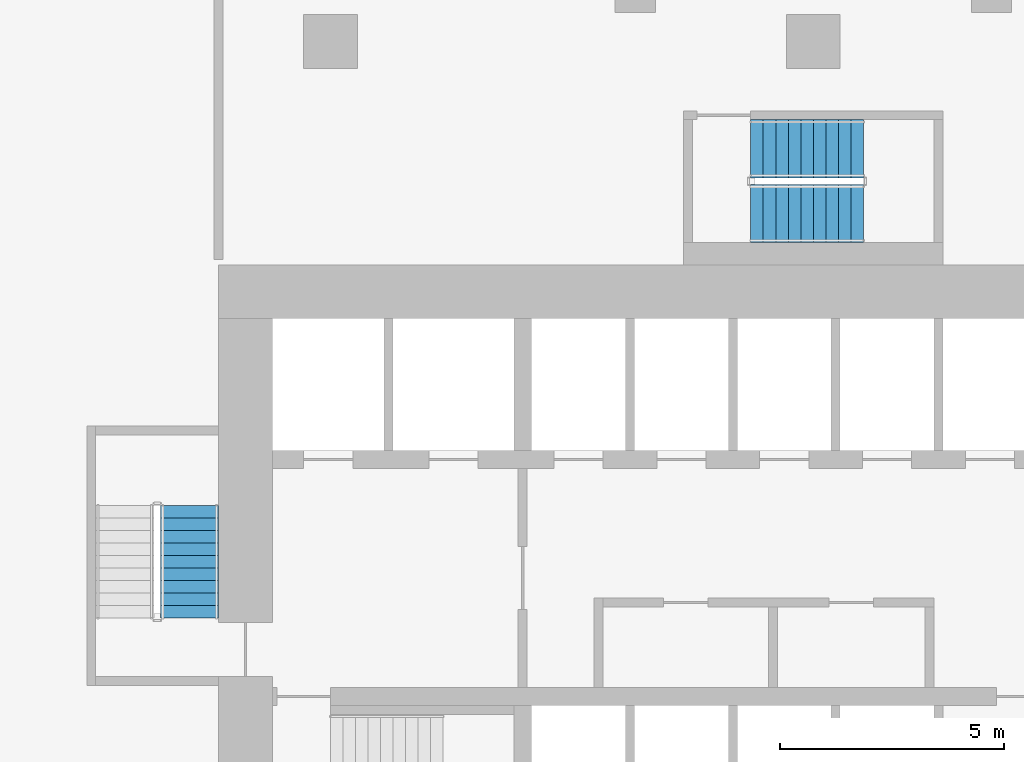
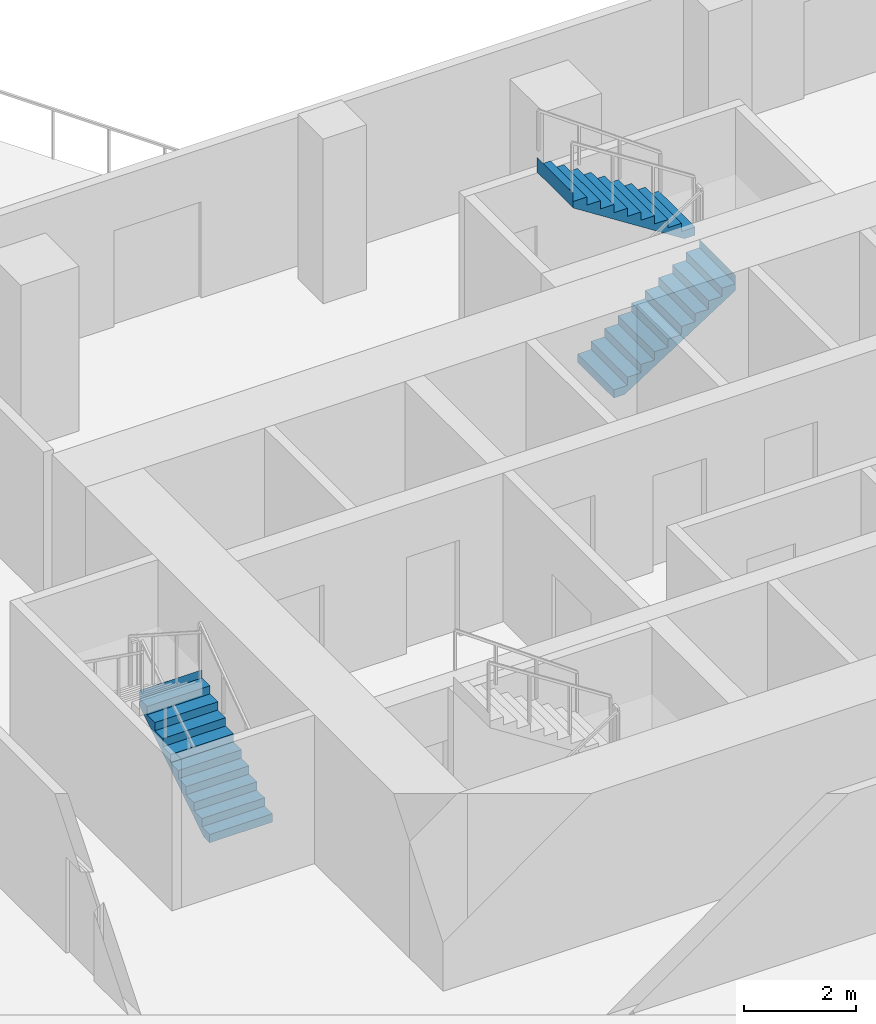
# One storey, part 16 of 22: 3 stair flights, 2 elements without a shape of their own.
"""IFC4 building model written with IfcOpenShell, lengths in metres."""

from ifc_helpers import new_model, si_unit, direction, frame, origin, place, context, subcontext, project, spatial, triangles, material, type_object, element, aggregate, save


model = new_model("IFC4")

# Units and contexts
model_context = context("Model", 3, precision=1e-05, world=origin(), true_north=direction((0.0, 1.0)))
body_context = subcontext(model_context, "Body", "Model", "MODEL_VIEW")
ifc_project = project(units=[si_unit("LENGTHUNIT", "METRE"), si_unit("AREAUNIT", "SQUARE_METRE"), si_unit("VOLUMEUNIT", "CUBIC_METRE"), si_unit("PLANEANGLEUNIT", "RADIAN"), si_unit("MASSUNIT", "GRAM", prefix="KILO")], contexts=[model_context])

# Site, building, storey
site_placement = place(None, origin())
site = spatial("IfcSite", under=ifc_project, at=site_placement, CompositionType="ELEMENT")
building_placement = place(site_placement, origin())
building = spatial("IfcBuilding", under=site, at=building_placement, Name="Beryl Residences", CompositionType="ELEMENT")
storey_placement = place(building_placement, frame((0.0, 0.0, 12.60009765625)))
storey = spatial("IfcBuildingStorey", under=building, at=storey_placement, Name="L03", CompositionType="ELEMENT", Elevation=12.60009765625)

# Stair, stair flight
ifc_material_1 = material(Name="Concrete C40/50", Category="concrete")
stair_type = type_object("IfcStairType", Name="ST1 protected exit stair, half-turn, 1300 mm flights", PredefinedType="HALF_TURN_STAIR", material=ifc_material_1)
stair_1_placement = place(storey_placement, origin())
stair_1 = element("IfcStair", 1, at=stair_1_placement, inside=storey, type_object=stair_type, Name="L03 PROTECTED EXIT STAIR ST-2", PredefinedType="HALF_TURN_STAIR")
ifc_material_2 = material(Name="Concrete C40/50", Category="concrete")
stair_flight_type = type_object("IfcStairFlightType", Name="SF1 stair flight 1300 mm", PredefinedType="STRAIGHT", material=ifc_material_2)
stair_flight_1_placement = place(storey_placement, frame((-13.949951171875, -12.89990234375, 0.0), z_axis=(0.0, 0.0, 1.0), x_axis=(0.0, 1.0, 0.0)))
stair_flight_1 = element("IfcStairFlight", 2, at=stair_flight_1_placement, type_object=stair_flight_type, Name="ST-2 flight 1", NumberOfRisers=10, NumberOfTreads=9, PredefinedType="STRAIGHT", RiserHeight=0.18, TreadLength=0.28, context=body_context, shape_type="Tessellation", body=[
    triangles([(0.0, -0.64990234375, 0.0), (0.0, -0.324951171875, 0.0), (0.0, 0.0, 0.0), (0.0, 0.324951171875, 0.0), (0.0, 0.64990234375, 0.0), (0.0, -0.64990234375, 0.179931640625), (0.0, -0.324951171875, 0.179931640625), (0.0, 0.0, 0.179931640625), (0.0, 0.324951171875, 0.179931640625), (0.0, 0.64990234375, 0.179931640625), (0.280029296875, -0.64990234375, 0.179931640625), (0.280029296875, -0.324951171875, 0.179931640625), (0.280029296875, 0.0, 0.179931640625), (0.280029296875, 0.324951171875, 0.179931640625), (0.280029296875, 0.64990234375, 0.179931640625), (0.280029296875, -0.64990234375, 0.360107421875), (0.280029296875, -0.324951171875, 0.360107421875), (0.280029296875, 0.0, 0.360107421875), (0.280029296875, 0.324951171875, 0.360107421875), (0.280029296875, 0.64990234375, 0.360107421875), (0.56005859375, -0.64990234375, 0.360107421875), (0.56005859375, -0.324951171875, 0.360107421875), (0.56005859375, 0.0, 0.360107421875), (0.56005859375, 0.324951171875, 0.360107421875), (0.56005859375, 0.64990234375, 0.360107421875), (0.56005859375, -0.64990234375, 0.5400390625), (0.56005859375, -0.324951171875, 0.5400390625), (0.56005859375, 0.0, 0.5400390625), (0.56005859375, 0.324951171875, 0.5400390625), (0.56005859375, 0.64990234375, 0.5400390625), (0.840087890625, -0.64990234375, 0.5400390625), (0.840087890625, -0.324951171875, 0.5400390625), (0.840087890625, 0.0, 0.5400390625), (0.840087890625, 0.324951171875, 0.5400390625), (0.840087890625, 0.64990234375, 0.5400390625), (0.840087890625, -0.64990234375, 0.719970703125), (0.840087890625, -0.324951171875, 0.719970703125), (0.840087890625, 0.0, 0.719970703125), (0.840087890625, 0.324951171875, 0.719970703125), (0.840087890625, 0.64990234375, 0.719970703125), (1.1201171875, -0.64990234375, 0.719970703125), (1.1201171875, -0.324951171875, 0.719970703125), (1.1201171875, 0.0, 0.719970703125), (1.1201171875, 0.324951171875, 0.719970703125), (1.1201171875, 0.64990234375, 0.719970703125), (1.1201171875, -0.64990234375, 0.89990234375), (1.1201171875, -0.324951171875, 0.89990234375), (1.1201171875, 0.0, 0.89990234375), (1.1201171875, 0.324951171875, 0.89990234375), (1.1201171875, 0.64990234375, 0.89990234375), (1.39990234375, -0.64990234375, 0.89990234375), (1.39990234375, -0.324951171875, 0.89990234375), (1.39990234375, 0.0, 0.89990234375), (1.39990234375, 0.324951171875, 0.89990234375), (1.39990234375, 0.64990234375, 0.89990234375), (1.39990234375, -0.64990234375, 1.080078125), (1.39990234375, -0.324951171875, 1.080078125), (1.39990234375, 0.0, 1.080078125), (1.39990234375, 0.324951171875, 1.080078125), (1.39990234375, 0.64990234375, 1.080078125), (1.679931640625, -0.64990234375, 1.080078125), (1.679931640625, -0.324951171875, 1.080078125), (1.679931640625, 0.0, 1.080078125), (1.679931640625, 0.324951171875, 1.080078125), (1.679931640625, 0.64990234375, 1.080078125), (1.679931640625, -0.64990234375, 1.260009765625), (1.679931640625, -0.324951171875, 1.260009765625), (1.679931640625, 0.0, 1.260009765625), (1.679931640625, 0.324951171875, 1.260009765625), (1.679931640625, 0.64990234375, 1.260009765625), (1.9599609375, -0.64990234375, 1.260009765625), (1.9599609375, -0.324951171875, 1.260009765625), (1.9599609375, 0.0, 1.260009765625), (1.9599609375, 0.324951171875, 1.260009765625), (1.9599609375, 0.64990234375, 1.260009765625), (1.9599609375, -0.64990234375, 1.43994140625), (1.9599609375, -0.324951171875, 1.43994140625), (1.9599609375, 0.0, 1.43994140625), (1.9599609375, 0.324951171875, 1.43994140625), (1.9599609375, 0.64990234375, 1.43994140625), (2.239990234375, -0.64990234375, 1.43994140625), (2.239990234375, -0.324951171875, 1.43994140625), (2.239990234375, 0.0, 1.43994140625), (2.239990234375, 0.324951171875, 1.43994140625), (2.239990234375, 0.64990234375, 1.43994140625), (2.239990234375, -0.64990234375, 1.6201171875), (2.239990234375, -0.324951171875, 1.6201171875), (2.239990234375, 0.0, 1.6201171875), (2.239990234375, 0.324951171875, 1.6201171875), (2.239990234375, 0.64990234375, 1.6201171875), (2.52001953125, -0.64990234375, 1.6201171875), (2.52001953125, -0.324951171875, 1.6201171875), (2.52001953125, 0.0, 1.6201171875), (2.52001953125, 0.324951171875, 1.6201171875), (2.52001953125, 0.64990234375, 1.6201171875), (2.52001953125, -0.64990234375, 1.800048828125), (2.52001953125, -0.324951171875, 1.800048828125), (2.52001953125, 0.0, 1.800048828125), (2.52001953125, 0.324951171875, 1.800048828125), (2.52001953125, 0.64990234375, 1.800048828125), (2.52099609375, -0.64990234375, 1.800048828125), (2.52099609375, -0.324951171875, 1.800048828125), (2.52099609375, 0.0, 1.800048828125), (2.52099609375, 0.324951171875, 1.800048828125), (2.52099609375, 0.64990234375, 1.800048828125), (2.52099609375, -0.64990234375, 1.477294921875), (2.52099609375, -0.324951171875, 1.477294921875), (2.52099609375, 0.0, 1.477294921875), (2.52099609375, 0.324951171875, 1.477294921875), (2.52099609375, 0.64990234375, 1.477294921875), (0.22314453125, -0.64990234375, 0.0), (0.22314453125, -0.324951171875, 0.0), (0.22314453125, 0.0, 0.0), (0.22314453125, 0.324951171875, 0.0), (0.22314453125, 0.64990234375, 0.0)], [[1, 6, 7], [1, 7, 2], [2, 7, 8], [2, 8, 3], [3, 8, 9], [3, 9, 4], [4, 9, 10], [4, 10, 5], [6, 11, 12], [6, 12, 7], [7, 12, 13], [7, 13, 8], [8, 13, 14], [8, 14, 9], [9, 14, 15], [9, 15, 10], [11, 16, 17], [11, 17, 12], [12, 17, 18], [12, 18, 13], [13, 18, 19], [13, 19, 14], [14, 19, 20], [14, 20, 15], [16, 21, 22], [16, 22, 17], [17, 22, 23], [17, 23, 18], [18, 23, 24], [18, 24, 19], [19, 24, 25], [19, 25, 20], [21, 26, 27], [21, 27, 22], [22, 27, 28], [22, 28, 23], [23, 28, 29], [23, 29, 24], [24, 29, 30], [24, 30, 25], [26, 31, 32], [26, 32, 27], [27, 32, 33], [27, 33, 28], [28, 33, 34], [28, 34, 29], [29, 34, 35], [29, 35, 30], [31, 36, 37], [31, 37, 32], [32, 37, 38], [32, 38, 33], [33, 38, 39], [33, 39, 34], [34, 39, 40], [34, 40, 35], [36, 41, 42], [36, 42, 37], [37, 42, 43], [37, 43, 38], [38, 43, 44], [38, 44, 39], [39, 44, 45], [39, 45, 40], [41, 46, 47], [41, 47, 42], [42, 47, 48], [42, 48, 43], [43, 48, 49], [43, 49, 44], [44, 49, 50], [44, 50, 45], [46, 51, 52], [46, 52, 47], [47, 52, 53], [47, 53, 48], [48, 53, 54], [48, 54, 49], [49, 54, 55], [49, 55, 50], [51, 56, 57], [51, 57, 52], [52, 57, 58], [52, 58, 53], [53, 58, 59], [53, 59, 54], [54, 59, 60], [54, 60, 55], [56, 61, 62], [56, 62, 57], [57, 62, 63], [57, 63, 58], [58, 63, 64], [58, 64, 59], [59, 64, 65], [59, 65, 60], [61, 66, 67], [61, 67, 62], [62, 67, 68], [62, 68, 63], [63, 68, 69], [63, 69, 64], [64, 69, 70], [64, 70, 65], [66, 71, 72], [66, 72, 67], [67, 72, 73], [67, 73, 68], [68, 73, 74], [68, 74, 69], [69, 74, 75], [69, 75, 70], [71, 76, 77], [71, 77, 72], [72, 77, 78], [72, 78, 73], [73, 78, 79], [73, 79, 74], [74, 79, 80], [74, 80, 75], [76, 81, 82], [76, 82, 77], [77, 82, 83], [77, 83, 78], [78, 83, 84], [78, 84, 79], [79, 84, 85], [79, 85, 80], [81, 86, 87], [81, 87, 82], [82, 87, 88], [82, 88, 83], [83, 88, 89], [83, 89, 84], [84, 89, 90], [84, 90, 85], [86, 91, 92], [86, 92, 87], [87, 92, 93], [87, 93, 88], [88, 93, 94], [88, 94, 89], [89, 94, 95], [89, 95, 90], [91, 96, 97], [91, 97, 92], [92, 97, 98], [92, 98, 93], [93, 98, 99], [93, 99, 94], [94, 99, 100], [94, 100, 95], [96, 101, 102], [96, 102, 97], [97, 102, 103], [97, 103, 98], [98, 103, 104], [98, 104, 99], [99, 104, 105], [99, 105, 100], [101, 106, 107], [101, 107, 102], [102, 107, 108], [102, 108, 103], [103, 108, 109], [103, 109, 104], [104, 109, 110], [104, 110, 105], [106, 111, 112], [106, 112, 107], [107, 112, 113], [107, 113, 108], [108, 113, 114], [108, 114, 109], [109, 114, 115], [109, 115, 110], [111, 1, 2], [111, 2, 112], [112, 2, 3], [112, 3, 113], [113, 3, 4], [113, 4, 114], [114, 4, 5], [114, 5, 115], [1, 111, 106], [5, 110, 115], [106, 101, 96], [110, 100, 105], [106, 96, 91], [110, 95, 100], [106, 91, 86], [110, 90, 95], [106, 86, 81], [110, 85, 90], [81, 76, 71], [85, 75, 80], [106, 81, 71], [110, 75, 85], [71, 66, 61], [75, 65, 70], [106, 71, 61], [110, 65, 75], [61, 56, 51], [65, 55, 60], [106, 61, 51], [110, 55, 65], [51, 46, 41], [55, 45, 50], [106, 51, 41], [110, 45, 55], [41, 36, 31], [45, 35, 40], [106, 41, 31], [110, 35, 45], [31, 26, 21], [35, 25, 30], [106, 31, 21], [110, 25, 35], [21, 16, 11], [25, 15, 20], [106, 21, 11], [110, 15, 25], [1, 106, 11], [5, 15, 110], [11, 6, 1], [15, 5, 10]], closed=True),
])
aggregate(stair_1, [stair_flight_1])

# Stair, stair flights
stair_2_placement = place(storey_placement, origin())
stair_2 = element("IfcStair", 3, at=stair_2_placement, inside=storey, type_object=stair_type, Name="L03 PROTECTED EXIT STAIR ST-4", PredefinedType="HALF_TURN_STAIR")
stair_flight_2_placement = place(storey_placement, frame((-1.39990234375, -3.85009765625, 0.0), z_axis=(0.0, 0.0, 1.0), x_axis=(1.0, 0.0, 0.0)))
stair_flight_2 = element("IfcStairFlight", 4, at=stair_flight_2_placement, type_object=stair_flight_type, Name="ST-4 flight 1", NumberOfRisers=10, NumberOfTreads=9, PredefinedType="STRAIGHT", RiserHeight=0.18, TreadLength=0.28, context=body_context, shape_type="Tessellation", body=[
    triangles([(0.0, -0.64990234375, 0.0), (0.0, -0.324951171875, 0.0), (0.0, 0.0, 0.0), (0.0, 0.324951171875, 0.0), (0.0, 0.64990234375, 0.0), (0.0, -0.64990234375, 0.179931640625), (0.0, -0.324951171875, 0.179931640625), (0.0, 0.0, 0.179931640625), (0.0, 0.324951171875, 0.179931640625), (0.0, 0.64990234375, 0.179931640625), (0.280029296875, -0.64990234375, 0.179931640625), (0.280029296875, -0.324951171875, 0.179931640625), (0.280029296875, 0.0, 0.179931640625), (0.280029296875, 0.324951171875, 0.179931640625), (0.280029296875, 0.64990234375, 0.179931640625), (0.280029296875, -0.64990234375, 0.360107421875), (0.280029296875, -0.324951171875, 0.360107421875), (0.280029296875, 0.0, 0.360107421875), (0.280029296875, 0.324951171875, 0.360107421875), (0.280029296875, 0.64990234375, 0.360107421875), (0.56005859375, -0.64990234375, 0.360107421875), (0.56005859375, -0.324951171875, 0.360107421875), (0.56005859375, 0.0, 0.360107421875), (0.56005859375, 0.324951171875, 0.360107421875), (0.56005859375, 0.64990234375, 0.360107421875), (0.56005859375, -0.64990234375, 0.5400390625), (0.56005859375, -0.324951171875, 0.5400390625), (0.56005859375, 0.0, 0.5400390625), (0.56005859375, 0.324951171875, 0.5400390625), (0.56005859375, 0.64990234375, 0.5400390625), (0.840087890625, -0.64990234375, 0.5400390625), (0.840087890625, -0.324951171875, 0.5400390625), (0.840087890625, 0.0, 0.5400390625), (0.840087890625, 0.324951171875, 0.5400390625), (0.840087890625, 0.64990234375, 0.5400390625), (0.840087890625, -0.64990234375, 0.719970703125), (0.840087890625, -0.324951171875, 0.719970703125), (0.840087890625, 0.0, 0.719970703125), (0.840087890625, 0.324951171875, 0.719970703125), (0.840087890625, 0.64990234375, 0.719970703125), (1.1201171875, -0.64990234375, 0.719970703125), (1.1201171875, -0.324951171875, 0.719970703125), (1.1201171875, 0.0, 0.719970703125), (1.1201171875, 0.324951171875, 0.719970703125), (1.1201171875, 0.64990234375, 0.719970703125), (1.1201171875, -0.64990234375, 0.89990234375), (1.1201171875, -0.324951171875, 0.89990234375), (1.1201171875, 0.0, 0.89990234375), (1.1201171875, 0.324951171875, 0.89990234375), (1.1201171875, 0.64990234375, 0.89990234375), (1.39990234375, -0.64990234375, 0.89990234375), (1.39990234375, -0.324951171875, 0.89990234375), (1.39990234375, 0.0, 0.89990234375), (1.39990234375, 0.324951171875, 0.89990234375), (1.39990234375, 0.64990234375, 0.89990234375), (1.39990234375, -0.64990234375, 1.080078125), (1.39990234375, -0.324951171875, 1.080078125), (1.39990234375, 0.0, 1.080078125), (1.39990234375, 0.324951171875, 1.080078125), (1.39990234375, 0.64990234375, 1.080078125), (1.679931640625, -0.64990234375, 1.080078125), (1.679931640625, -0.324951171875, 1.080078125), (1.679931640625, 0.0, 1.080078125), (1.679931640625, 0.324951171875, 1.080078125), (1.679931640625, 0.64990234375, 1.080078125), (1.679931640625, -0.64990234375, 1.260009765625), (1.679931640625, -0.324951171875, 1.260009765625), (1.679931640625, 0.0, 1.260009765625), (1.679931640625, 0.324951171875, 1.260009765625), (1.679931640625, 0.64990234375, 1.260009765625), (1.9599609375, -0.64990234375, 1.260009765625), (1.9599609375, -0.324951171875, 1.260009765625), (1.9599609375, 0.0, 1.260009765625), (1.9599609375, 0.324951171875, 1.260009765625), (1.9599609375, 0.64990234375, 1.260009765625), (1.9599609375, -0.64990234375, 1.43994140625), (1.9599609375, -0.324951171875, 1.43994140625), (1.9599609375, 0.0, 1.43994140625), (1.9599609375, 0.324951171875, 1.43994140625), (1.9599609375, 0.64990234375, 1.43994140625), (2.239990234375, -0.64990234375, 1.43994140625), (2.239990234375, -0.324951171875, 1.43994140625), (2.239990234375, 0.0, 1.43994140625), (2.239990234375, 0.324951171875, 1.43994140625), (2.239990234375, 0.64990234375, 1.43994140625), (2.239990234375, -0.64990234375, 1.6201171875), (2.239990234375, -0.324951171875, 1.6201171875), (2.239990234375, 0.0, 1.6201171875), (2.239990234375, 0.324951171875, 1.6201171875), (2.239990234375, 0.64990234375, 1.6201171875), (2.52001953125, -0.64990234375, 1.6201171875), (2.52001953125, -0.324951171875, 1.6201171875), (2.52001953125, 0.0, 1.6201171875), (2.52001953125, 0.324951171875, 1.6201171875), (2.52001953125, 0.64990234375, 1.6201171875), (2.52001953125, -0.64990234375, 1.800048828125), (2.52001953125, -0.324951171875, 1.800048828125), (2.52001953125, 0.0, 1.800048828125), (2.52001953125, 0.324951171875, 1.800048828125), (2.52001953125, 0.64990234375, 1.800048828125), (2.52099609375, -0.64990234375, 1.800048828125), (2.52099609375, -0.324951171875, 1.800048828125), (2.52099609375, 0.0, 1.800048828125), (2.52099609375, 0.324951171875, 1.800048828125), (2.52099609375, 0.64990234375, 1.800048828125), (2.52099609375, -0.64990234375, 1.477294921875), (2.52099609375, -0.324951171875, 1.477294921875), (2.52099609375, 0.0, 1.477294921875), (2.52099609375, 0.324951171875, 1.477294921875), (2.52099609375, 0.64990234375, 1.477294921875), (0.22314453125, -0.64990234375, 0.0), (0.22314453125, -0.324951171875, 0.0), (0.22314453125, 0.0, 0.0), (0.22314453125, 0.324951171875, 0.0), (0.22314453125, 0.64990234375, 0.0)], [[1, 6, 7], [1, 7, 2], [2, 7, 8], [2, 8, 3], [3, 8, 9], [3, 9, 4], [4, 9, 10], [4, 10, 5], [6, 11, 12], [6, 12, 7], [7, 12, 13], [7, 13, 8], [8, 13, 14], [8, 14, 9], [9, 14, 15], [9, 15, 10], [11, 16, 17], [11, 17, 12], [12, 17, 18], [12, 18, 13], [13, 18, 19], [13, 19, 14], [14, 19, 20], [14, 20, 15], [16, 21, 22], [16, 22, 17], [17, 22, 23], [17, 23, 18], [18, 23, 24], [18, 24, 19], [19, 24, 25], [19, 25, 20], [21, 26, 27], [21, 27, 22], [22, 27, 28], [22, 28, 23], [23, 28, 29], [23, 29, 24], [24, 29, 30], [24, 30, 25], [26, 31, 32], [26, 32, 27], [27, 32, 33], [27, 33, 28], [28, 33, 34], [28, 34, 29], [29, 34, 35], [29, 35, 30], [31, 36, 37], [31, 37, 32], [32, 37, 38], [32, 38, 33], [33, 38, 39], [33, 39, 34], [34, 39, 40], [34, 40, 35], [36, 41, 42], [36, 42, 37], [37, 42, 43], [37, 43, 38], [38, 43, 44], [38, 44, 39], [39, 44, 45], [39, 45, 40], [41, 46, 47], [41, 47, 42], [42, 47, 48], [42, 48, 43], [43, 48, 49], [43, 49, 44], [44, 49, 50], [44, 50, 45], [46, 51, 52], [46, 52, 47], [47, 52, 53], [47, 53, 48], [48, 53, 54], [48, 54, 49], [49, 54, 55], [49, 55, 50], [51, 56, 57], [51, 57, 52], [52, 57, 58], [52, 58, 53], [53, 58, 59], [53, 59, 54], [54, 59, 60], [54, 60, 55], [56, 61, 62], [56, 62, 57], [57, 62, 63], [57, 63, 58], [58, 63, 64], [58, 64, 59], [59, 64, 65], [59, 65, 60], [61, 66, 67], [61, 67, 62], [62, 67, 68], [62, 68, 63], [63, 68, 69], [63, 69, 64], [64, 69, 70], [64, 70, 65], [66, 71, 72], [66, 72, 67], [67, 72, 73], [67, 73, 68], [68, 73, 74], [68, 74, 69], [69, 74, 75], [69, 75, 70], [71, 76, 77], [71, 77, 72], [72, 77, 78], [72, 78, 73], [73, 78, 79], [73, 79, 74], [74, 79, 80], [74, 80, 75], [76, 81, 82], [76, 82, 77], [77, 82, 83], [77, 83, 78], [78, 83, 84], [78, 84, 79], [79, 84, 85], [79, 85, 80], [81, 86, 87], [81, 87, 82], [82, 87, 88], [82, 88, 83], [83, 88, 89], [83, 89, 84], [84, 89, 90], [84, 90, 85], [86, 91, 92], [86, 92, 87], [87, 92, 93], [87, 93, 88], [88, 93, 94], [88, 94, 89], [89, 94, 95], [89, 95, 90], [91, 96, 97], [91, 97, 92], [92, 97, 98], [92, 98, 93], [93, 98, 99], [93, 99, 94], [94, 99, 100], [94, 100, 95], [96, 101, 102], [96, 102, 97], [97, 102, 103], [97, 103, 98], [98, 103, 104], [98, 104, 99], [99, 104, 105], [99, 105, 100], [101, 106, 107], [101, 107, 102], [102, 107, 108], [102, 108, 103], [103, 108, 109], [103, 109, 104], [104, 109, 110], [104, 110, 105], [106, 111, 112], [106, 112, 107], [107, 112, 113], [107, 113, 108], [108, 113, 114], [108, 114, 109], [109, 114, 115], [109, 115, 110], [111, 1, 2], [111, 2, 112], [112, 2, 3], [112, 3, 113], [113, 3, 4], [113, 4, 114], [114, 4, 5], [114, 5, 115], [1, 111, 106], [5, 110, 115], [106, 101, 96], [110, 100, 105], [106, 96, 91], [110, 95, 100], [106, 91, 86], [110, 90, 95], [106, 86, 81], [110, 85, 90], [81, 76, 71], [85, 75, 80], [106, 81, 71], [110, 75, 85], [71, 66, 61], [75, 65, 70], [106, 71, 61], [110, 65, 75], [61, 56, 51], [65, 55, 60], [106, 61, 51], [110, 55, 65], [51, 46, 41], [55, 45, 50], [106, 51, 41], [110, 45, 55], [41, 36, 31], [45, 35, 40], [106, 41, 31], [110, 35, 45], [31, 26, 21], [35, 25, 30], [106, 31, 21], [110, 25, 35], [21, 16, 11], [25, 15, 20], [106, 21, 11], [110, 15, 25], [1, 106, 11], [5, 15, 110], [11, 6, 1], [15, 5, 10]], closed=True),
])
stair_flight_3_placement = place(storey_placement, frame((1.1201171875, -2.39990234375, 1.7998046875), z_axis=(0.0, 0.0, 1.0), x_axis=(-1.0, 0.0, 0.0)))
stair_flight_3 = element("IfcStairFlight", 5, at=stair_flight_3_placement, type_object=stair_flight_type, Name="ST-4 flight 2", NumberOfRisers=10, NumberOfTreads=9, PredefinedType="STRAIGHT", RiserHeight=0.18, TreadLength=0.28, context=body_context, shape_type="Tessellation", body=[
    triangles([(0.0, -0.64990234375, 0.0), (0.0, -0.324951171875, 0.0), (0.0, 0.0, 0.0), (0.0, 0.324951171875, 0.0), (0.0, 0.64990234375, 0.0), (0.0, -0.64990234375, 0.179931640625), (0.0, -0.324951171875, 0.179931640625), (0.0, 0.0, 0.179931640625), (0.0, 0.324951171875, 0.179931640625), (0.0, 0.64990234375, 0.179931640625), (0.280029296875, -0.64990234375, 0.179931640625), (0.280029296875, -0.324951171875, 0.179931640625), (0.280029296875, 0.0, 0.179931640625), (0.280029296875, 0.324951171875, 0.179931640625), (0.280029296875, 0.64990234375, 0.179931640625), (0.280029296875, -0.64990234375, 0.360107421875), (0.280029296875, -0.324951171875, 0.360107421875), (0.280029296875, 0.0, 0.360107421875), (0.280029296875, 0.324951171875, 0.360107421875), (0.280029296875, 0.64990234375, 0.360107421875), (0.56005859375, -0.64990234375, 0.360107421875), (0.56005859375, -0.324951171875, 0.360107421875), (0.56005859375, 0.0, 0.360107421875), (0.56005859375, 0.324951171875, 0.360107421875), (0.56005859375, 0.64990234375, 0.360107421875), (0.56005859375, -0.64990234375, 0.5400390625), (0.56005859375, -0.324951171875, 0.5400390625), (0.56005859375, 0.0, 0.5400390625), (0.56005859375, 0.324951171875, 0.5400390625), (0.56005859375, 0.64990234375, 0.5400390625), (0.840087890625, -0.64990234375, 0.5400390625), (0.840087890625, -0.324951171875, 0.5400390625), (0.840087890625, 0.0, 0.5400390625), (0.840087890625, 0.324951171875, 0.5400390625), (0.840087890625, 0.64990234375, 0.5400390625), (0.840087890625, -0.64990234375, 0.719970703125), (0.840087890625, -0.324951171875, 0.719970703125), (0.840087890625, 0.0, 0.719970703125), (0.840087890625, 0.324951171875, 0.719970703125), (0.840087890625, 0.64990234375, 0.719970703125), (1.1201171875, -0.64990234375, 0.719970703125), (1.1201171875, -0.324951171875, 0.719970703125), (1.1201171875, 0.0, 0.719970703125), (1.1201171875, 0.324951171875, 0.719970703125), (1.1201171875, 0.64990234375, 0.719970703125), (1.1201171875, -0.64990234375, 0.89990234375), (1.1201171875, -0.324951171875, 0.89990234375), (1.1201171875, 0.0, 0.89990234375), (1.1201171875, 0.324951171875, 0.89990234375), (1.1201171875, 0.64990234375, 0.89990234375), (1.39990234375, -0.64990234375, 0.89990234375), (1.39990234375, -0.324951171875, 0.89990234375), (1.39990234375, 0.0, 0.89990234375), (1.39990234375, 0.324951171875, 0.89990234375), (1.39990234375, 0.64990234375, 0.89990234375), (1.39990234375, -0.64990234375, 1.080078125), (1.39990234375, -0.324951171875, 1.080078125), (1.39990234375, 0.0, 1.080078125), (1.39990234375, 0.324951171875, 1.080078125), (1.39990234375, 0.64990234375, 1.080078125), (1.679931640625, -0.64990234375, 1.080078125), (1.679931640625, -0.324951171875, 1.080078125), (1.679931640625, 0.0, 1.080078125), (1.679931640625, 0.324951171875, 1.080078125), (1.679931640625, 0.64990234375, 1.080078125), (1.679931640625, -0.64990234375, 1.260009765625), (1.679931640625, -0.324951171875, 1.260009765625), (1.679931640625, 0.0, 1.260009765625), (1.679931640625, 0.324951171875, 1.260009765625), (1.679931640625, 0.64990234375, 1.260009765625), (1.9599609375, -0.64990234375, 1.260009765625), (1.9599609375, -0.324951171875, 1.260009765625), (1.9599609375, 0.0, 1.260009765625), (1.9599609375, 0.324951171875, 1.260009765625), (1.9599609375, 0.64990234375, 1.260009765625), (1.9599609375, -0.64990234375, 1.43994140625), (1.9599609375, -0.324951171875, 1.43994140625), (1.9599609375, 0.0, 1.43994140625), (1.9599609375, 0.324951171875, 1.43994140625), (1.9599609375, 0.64990234375, 1.43994140625), (2.239990234375, -0.64990234375, 1.43994140625), (2.239990234375, -0.324951171875, 1.43994140625), (2.239990234375, 0.0, 1.43994140625), (2.239990234375, 0.324951171875, 1.43994140625), (2.239990234375, 0.64990234375, 1.43994140625), (2.239990234375, -0.64990234375, 1.6201171875), (2.239990234375, -0.324951171875, 1.6201171875), (2.239990234375, 0.0, 1.6201171875), (2.239990234375, 0.324951171875, 1.6201171875), (2.239990234375, 0.64990234375, 1.6201171875), (2.52001953125, -0.64990234375, 1.6201171875), (2.52001953125, -0.324951171875, 1.6201171875), (2.52001953125, 0.0, 1.6201171875), (2.52001953125, 0.324951171875, 1.6201171875), (2.52001953125, 0.64990234375, 1.6201171875), (2.52001953125, -0.64990234375, 1.800048828125), (2.52001953125, -0.324951171875, 1.800048828125), (2.52001953125, 0.0, 1.800048828125), (2.52001953125, 0.324951171875, 1.800048828125), (2.52001953125, 0.64990234375, 1.800048828125), (2.52099609375, -0.64990234375, 1.800048828125), (2.52099609375, -0.324951171875, 1.800048828125), (2.52099609375, 0.0, 1.800048828125), (2.52099609375, 0.324951171875, 1.800048828125), (2.52099609375, 0.64990234375, 1.800048828125), (2.52099609375, -0.64990234375, 1.477294921875), (2.52099609375, -0.324951171875, 1.477294921875), (2.52099609375, 0.0, 1.477294921875), (2.52099609375, 0.324951171875, 1.477294921875), (2.52099609375, 0.64990234375, 1.477294921875), (0.22314453125, -0.64990234375, 0.0), (0.22314453125, -0.324951171875, 0.0), (0.22314453125, 0.0, 0.0), (0.22314453125, 0.324951171875, 0.0), (0.22314453125, 0.64990234375, 0.0)], [[1, 6, 7], [1, 7, 2], [2, 7, 8], [2, 8, 3], [3, 8, 9], [3, 9, 4], [4, 9, 10], [4, 10, 5], [6, 11, 12], [6, 12, 7], [7, 12, 13], [7, 13, 8], [8, 13, 14], [8, 14, 9], [9, 14, 15], [9, 15, 10], [11, 16, 17], [11, 17, 12], [12, 17, 18], [12, 18, 13], [13, 18, 19], [13, 19, 14], [14, 19, 20], [14, 20, 15], [16, 21, 22], [16, 22, 17], [17, 22, 23], [17, 23, 18], [18, 23, 24], [18, 24, 19], [19, 24, 25], [19, 25, 20], [21, 26, 27], [21, 27, 22], [22, 27, 28], [22, 28, 23], [23, 28, 29], [23, 29, 24], [24, 29, 30], [24, 30, 25], [26, 31, 32], [26, 32, 27], [27, 32, 33], [27, 33, 28], [28, 33, 34], [28, 34, 29], [29, 34, 35], [29, 35, 30], [31, 36, 37], [31, 37, 32], [32, 37, 38], [32, 38, 33], [33, 38, 39], [33, 39, 34], [34, 39, 40], [34, 40, 35], [36, 41, 42], [36, 42, 37], [37, 42, 43], [37, 43, 38], [38, 43, 44], [38, 44, 39], [39, 44, 45], [39, 45, 40], [41, 46, 47], [41, 47, 42], [42, 47, 48], [42, 48, 43], [43, 48, 49], [43, 49, 44], [44, 49, 50], [44, 50, 45], [46, 51, 52], [46, 52, 47], [47, 52, 53], [47, 53, 48], [48, 53, 54], [48, 54, 49], [49, 54, 55], [49, 55, 50], [51, 56, 57], [51, 57, 52], [52, 57, 58], [52, 58, 53], [53, 58, 59], [53, 59, 54], [54, 59, 60], [54, 60, 55], [56, 61, 62], [56, 62, 57], [57, 62, 63], [57, 63, 58], [58, 63, 64], [58, 64, 59], [59, 64, 65], [59, 65, 60], [61, 66, 67], [61, 67, 62], [62, 67, 68], [62, 68, 63], [63, 68, 69], [63, 69, 64], [64, 69, 70], [64, 70, 65], [66, 71, 72], [66, 72, 67], [67, 72, 73], [67, 73, 68], [68, 73, 74], [68, 74, 69], [69, 74, 75], [69, 75, 70], [71, 76, 77], [71, 77, 72], [72, 77, 78], [72, 78, 73], [73, 78, 79], [73, 79, 74], [74, 79, 80], [74, 80, 75], [76, 81, 82], [76, 82, 77], [77, 82, 83], [77, 83, 78], [78, 83, 84], [78, 84, 79], [79, 84, 85], [79, 85, 80], [81, 86, 87], [81, 87, 82], [82, 87, 88], [82, 88, 83], [83, 88, 89], [83, 89, 84], [84, 89, 90], [84, 90, 85], [86, 91, 92], [86, 92, 87], [87, 92, 93], [87, 93, 88], [88, 93, 94], [88, 94, 89], [89, 94, 95], [89, 95, 90], [91, 96, 97], [91, 97, 92], [92, 97, 98], [92, 98, 93], [93, 98, 99], [93, 99, 94], [94, 99, 100], [94, 100, 95], [96, 101, 102], [96, 102, 97], [97, 102, 103], [97, 103, 98], [98, 103, 104], [98, 104, 99], [99, 104, 105], [99, 105, 100], [101, 106, 107], [101, 107, 102], [102, 107, 108], [102, 108, 103], [103, 108, 109], [103, 109, 104], [104, 109, 110], [104, 110, 105], [106, 111, 112], [106, 112, 107], [107, 112, 113], [107, 113, 108], [108, 113, 114], [108, 114, 109], [109, 114, 115], [109, 115, 110], [111, 1, 2], [111, 2, 112], [112, 2, 3], [112, 3, 113], [113, 3, 4], [113, 4, 114], [114, 4, 5], [114, 5, 115], [1, 111, 106], [5, 110, 115], [106, 101, 96], [110, 100, 105], [106, 96, 91], [110, 95, 100], [106, 91, 86], [110, 90, 95], [106, 86, 81], [110, 85, 90], [81, 76, 71], [85, 75, 80], [106, 81, 71], [110, 75, 85], [71, 66, 61], [75, 65, 70], [106, 71, 61], [110, 65, 75], [61, 56, 51], [65, 55, 60], [106, 61, 51], [110, 55, 65], [51, 46, 41], [55, 45, 50], [106, 51, 41], [110, 45, 55], [41, 36, 31], [45, 35, 40], [106, 41, 31], [110, 35, 45], [31, 26, 21], [35, 25, 30], [106, 31, 21], [110, 25, 35], [21, 16, 11], [25, 15, 20], [106, 21, 11], [110, 15, 25], [1, 106, 11], [5, 15, 110], [11, 6, 1], [15, 5, 10]], closed=True),
])
aggregate(stair_2, [stair_flight_2, stair_flight_3])

save(model, "model.ifc")
